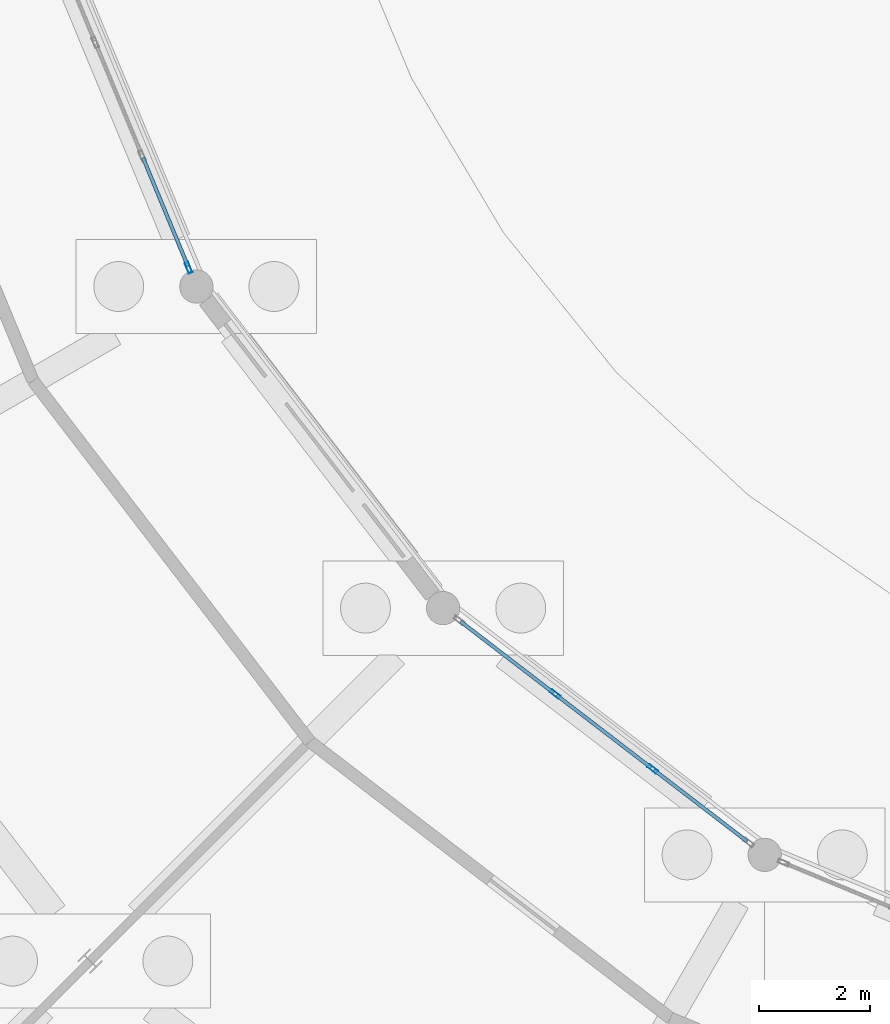
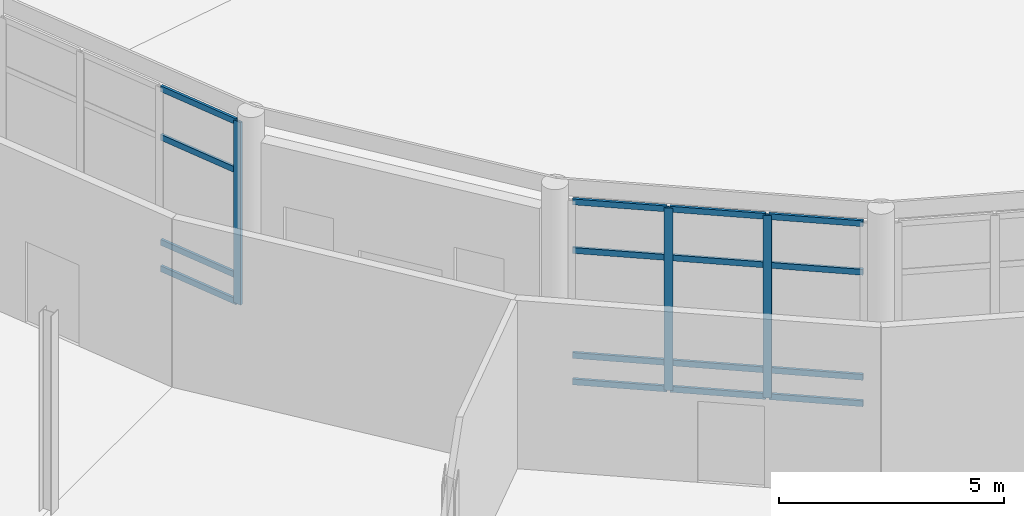
# One storey, part 38 of 137: 19 members, 2 elements without a shape of their own.
"""IFC4 building model written with IfcOpenShell, lengths in metres."""

from ifc_helpers import new_model, si_unit, direction, frame, origin, origin_2d, place, context, subcontext, project, spatial, hollow_rectangle, extrude, material, material_profile, profile_set, type_object, element, aggregate, save


model = new_model("IFC4")

# Units and contexts
model_context = context("Model", 3, precision=1e-05, world=origin(), true_north=direction((0.0, 1.0)))
body_context = subcontext(model_context, "Body", "Model", "MODEL_VIEW")
ifc_project = project(units=[si_unit("LENGTHUNIT", "METRE"), si_unit("AREAUNIT", "SQUARE_METRE"), si_unit("VOLUMEUNIT", "CUBIC_METRE"), si_unit("PLANEANGLEUNIT", "RADIAN"), si_unit("MASSUNIT", "GRAM", prefix="KILO")], contexts=[model_context])

# Site, building, storey
site_placement = place(None, origin())
site = spatial("IfcSite", under=ifc_project, at=site_placement, CompositionType="ELEMENT")
building_placement = place(site_placement, origin())
building = spatial("IfcBuilding", under=site, at=building_placement, Name="Vondelvale Polytechnic", CompositionType="ELEMENT")
storey_placement = place(building_placement, origin())
storey = spatial("IfcBuildingStorey", under=building, at=storey_placement, Name="L00", CompositionType="ELEMENT", Elevation=0.0)

# Curtain wall, member
ifc_material = material(Name="Anodised extruded aluminium 6063-T6", Category="aluminium")
curtain_wall_type = type_object("IfcCurtainWallType", Name="CW-RING-CLOISTER", PredefinedType="NOTDEFINED", material=ifc_material)
curtain_wall_1_placement = place(storey_placement, origin())
curtain_wall_1 = element("IfcCurtainWall", 1, at=curtain_wall_1_placement, inside=storey, type_object=curtain_wall_type, Name="L00 architectural curtain wall CW-03-275", PredefinedType="NOTDEFINED")
ifc_material_profile_1 = material_profile(ifc_material, hollow_rectangle(XDim=0.070068359375, YDim=0.199951171875, WallThickness=0.00390625, at=origin_2d()), Name="CW-MUL-200x70")
ifc_profile_set_1 = profile_set([ifc_material_profile_1], Name="Anodised extruded aluminium 6063-T6")
member_type_1 = type_object("IfcMemberType", Name="CW-MUL-70x200", PredefinedType="MULLION", material=ifc_profile_set_1)
member_1_placement = place(storey_placement, frame((77.611572265625, 58.337158203125, 0.0), z_axis=(0.0, 0.0, 1.0), x_axis=(0.923881562419, 0.382678531697, 0.0)))
member_1 = element("IfcMember", 2, at=member_1_placement, type_object=member_type_1, Name="CW-03-275 mullion 4", PredefinedType="MULLION", context=body_context, shape_type="SweptSolid", body=[
    extrude(hollow_rectangle(XDim=0.070068359375, YDim=0.199951171875, WallThickness=0.00390625, at=origin_2d()), origin(), (0.0, 0.0, 1.0), 4.949951171875),
])

# Curtain wall, members
curtain_wall_2_placement = place(storey_placement, origin())
curtain_wall_2 = element("IfcCurtainWall", 3, at=curtain_wall_2_placement, inside=storey, type_object=curtain_wall_type, Name="L00 architectural curtain wall CW-03-314", PredefinedType="NOTDEFINED")
member_2_placement = place(storey_placement, frame((84.220947265625, 50.651123046875, 0.0), z_axis=(0.0, 0.0, 1.0), x_axis=(0.608747717793, 0.793363861089, 0.0)))
member_2 = element("IfcMember", 4, at=member_2_placement, type_object=member_type_1, Name="CW-03-314 mullion 2", PredefinedType="MULLION", context=body_context, shape_type="SweptSolid", body=[
    extrude(hollow_rectangle(XDim=0.070068359375, YDim=0.199951171875, WallThickness=0.00390625, at=origin_2d()), origin(), (0.0, 0.0, 1.0), 4.949951171875),
])
member_3_placement = place(storey_placement, frame((85.97998046875, 49.30126953125, 0.0), z_axis=(0.0, 0.0, 1.0), x_axis=(0.608747717793, 0.793363861089, 0.0)))
member_3 = element("IfcMember", 5, at=member_3_placement, type_object=member_type_1, Name="CW-03-314 mullion 3", PredefinedType="MULLION", context=body_context, shape_type="SweptSolid", body=[
    extrude(hollow_rectangle(XDim=0.070068359375, YDim=0.199951171875, WallThickness=0.00390625, at=origin_2d()), origin(), (0.0, 0.0, 1.0), 4.949951171875),
])

# Member
ifc_material_profile_2 = material_profile(ifc_material, hollow_rectangle(XDim=0.06494140625, YDim=0.159912109375, WallThickness=0.00341796875, at=origin_2d()), Name="CW-TRN-160x65")
ifc_profile_set_2 = profile_set([ifc_material_profile_2], Name="Anodised extruded aluminium 6063-T6")
member_type_2 = type_object("IfcMemberType", Name="CW-TRN-70x160", PredefinedType="USERDEFINED", material=ifc_profile_set_2)
member_4_placement = place(storey_placement, frame((76.790283203125, 60.3203125, 0.032470703125), z_axis=(0.382627532503, -0.923902685011, 0.0), x_axis=(0.923902685011, 0.382627532503, 0.0)))
member_4 = element("IfcMember", 6, at=member_4_placement, type_object=member_type_2, Name="CW-03-275 transom 3.1", ObjectType="TRANSOM", PredefinedType="USERDEFINED", context=body_context, shape_type="SweptSolid", body=[
    extrude(hollow_rectangle(XDim=0.06494140625, YDim=0.159912109375, WallThickness=0.00341796875, at=origin_2d()), origin(), (0.0, 0.0, 1.0), 2.111328125),
])

member_5_placement = place(storey_placement, frame((76.790283203125, 60.3203125, 0.75), z_axis=(0.382627532503, -0.923902685011, 0.0), x_axis=(0.923902685011, 0.382627532503, 0.0)))
member_5 = element("IfcMember", 7, at=member_5_placement, type_object=member_type_2, Name="CW-03-275 transom 3.2", ObjectType="TRANSOM", PredefinedType="USERDEFINED", context=body_context, shape_type="SweptSolid", body=[
    extrude(hollow_rectangle(XDim=0.06494140625, YDim=0.159912109375, WallThickness=0.00341796875, at=origin_2d()), origin(), (0.0, 0.0, 1.0), 2.111328125),
])

member_6_placement = place(storey_placement, frame((76.790283203125, 60.3203125, 3.60009765625), z_axis=(0.382627532503, -0.923902685011, 0.0), x_axis=(0.923902685011, 0.382627532503, 0.0)))
member_6 = element("IfcMember", 8, at=member_6_placement, type_object=member_type_2, Name="CW-03-275 transom 3.3", ObjectType="TRANSOM", PredefinedType="USERDEFINED", context=body_context, shape_type="SweptSolid", body=[
    extrude(hollow_rectangle(XDim=0.06494140625, YDim=0.159912109375, WallThickness=0.00341796875, at=origin_2d()), origin(), (0.0, 0.0, 1.0), 2.111328125),
])

member_7_placement = place(storey_placement, frame((76.790283203125, 60.3203125, 4.91748046875), z_axis=(0.382627532503, -0.923902685011, 0.0), x_axis=(0.923902685011, 0.382627532503, 0.0)))
member_7 = element("IfcMember", 9, at=member_7_placement, type_object=member_type_2, Name="CW-03-275 transom 3.4", ObjectType="TRANSOM", PredefinedType="USERDEFINED", context=body_context, shape_type="SweptSolid", body=[
    extrude(hollow_rectangle(XDim=0.06494140625, YDim=0.159912109375, WallThickness=0.00341796875, at=origin_2d()), origin(), (0.0, 0.0, 1.0), 2.111328125),
])

aggregate(curtain_wall_1, [member_1, member_4, member_5, member_6, member_7])

member_8_placement = place(storey_placement, frame((82.517333984375, 51.958251953125, 0.032470703125), z_axis=(0.793349569285, -0.608766343448, 0.0), x_axis=(0.608766343448, 0.793349569285, 0.0)))
member_8 = element("IfcMember", 10, at=member_8_placement, type_object=member_type_2, Name="CW-03-314 transom 1.1", ObjectType="TRANSOM", PredefinedType="USERDEFINED", context=body_context, shape_type="SweptSolid", body=[
    extrude(hollow_rectangle(XDim=0.06494140625, YDim=0.159912109375, WallThickness=0.00341796875, at=origin_2d()), origin(), (0.0, 0.0, 1.0), 2.1123046875),
])

member_9_placement = place(storey_placement, frame((82.517333984375, 51.958251953125, 0.75), z_axis=(0.793349569285, -0.608766343448, 0.0), x_axis=(0.608766343448, 0.793349569285, 0.0)))
member_9 = element("IfcMember", 11, at=member_9_placement, type_object=member_type_2, Name="CW-03-314 transom 1.2", ObjectType="TRANSOM", PredefinedType="USERDEFINED", context=body_context, shape_type="SweptSolid", body=[
    extrude(hollow_rectangle(XDim=0.06494140625, YDim=0.159912109375, WallThickness=0.00341796875, at=origin_2d()), origin(), (0.0, 0.0, 1.0), 2.1123046875),
])

member_10_placement = place(storey_placement, frame((82.517333984375, 51.958251953125, 3.60009765625), z_axis=(0.793349569285, -0.608766343448, 0.0), x_axis=(0.608766343448, 0.793349569285, 0.0)))
member_10 = element("IfcMember", 12, at=member_10_placement, type_object=member_type_2, Name="CW-03-314 transom 1.3", ObjectType="TRANSOM", PredefinedType="USERDEFINED", context=body_context, shape_type="SweptSolid", body=[
    extrude(hollow_rectangle(XDim=0.06494140625, YDim=0.159912109375, WallThickness=0.00341796875, at=origin_2d()), origin(), (0.0, 0.0, 1.0), 2.1123046875),
])

member_11_placement = place(storey_placement, frame((82.517333984375, 51.958251953125, 4.91748046875), z_axis=(0.793349569285, -0.608766343448, 0.0), x_axis=(0.608766343448, 0.793349569285, 0.0)))
member_11 = element("IfcMember", 13, at=member_11_placement, type_object=member_type_2, Name="CW-03-314 transom 1.4", ObjectType="TRANSOM", PredefinedType="USERDEFINED", context=body_context, shape_type="SweptSolid", body=[
    extrude(hollow_rectangle(XDim=0.06494140625, YDim=0.159912109375, WallThickness=0.00341796875, at=origin_2d()), origin(), (0.0, 0.0, 1.0), 2.1123046875),
])

member_12_placement = place(storey_placement, frame((84.248779296875, 50.629638671875, 0.032470703125), z_axis=(0.793375728306, -0.608732251269, 0.0), x_axis=(0.608732251269, 0.793375728306, 0.0)))
member_12 = element("IfcMember", 14, at=member_12_placement, type_object=member_type_2, Name="CW-03-314 transom 2.1", ObjectType="TRANSOM", PredefinedType="USERDEFINED", context=body_context, shape_type="SweptSolid", body=[
    extrude(hollow_rectangle(XDim=0.06494140625, YDim=0.159912109375, WallThickness=0.00341796875, at=origin_2d()), origin(), (0.0, 0.0, 1.0), 2.147216796875),
])

member_13_placement = place(storey_placement, frame((84.248779296875, 50.629638671875, 0.75), z_axis=(0.793375728306, -0.608732251269, 0.0), x_axis=(0.608732251269, 0.793375728306, 0.0)))
member_13 = element("IfcMember", 15, at=member_13_placement, type_object=member_type_2, Name="CW-03-314 transom 2.2", ObjectType="TRANSOM", PredefinedType="USERDEFINED", context=body_context, shape_type="SweptSolid", body=[
    extrude(hollow_rectangle(XDim=0.06494140625, YDim=0.159912109375, WallThickness=0.00341796875, at=origin_2d()), origin(), (0.0, 0.0, 1.0), 2.147216796875),
])

member_14_placement = place(storey_placement, frame((84.248779296875, 50.629638671875, 3.60009765625), z_axis=(0.793375728306, -0.608732251269, 0.0), x_axis=(0.608732251269, 0.793375728306, 0.0)))
member_14 = element("IfcMember", 16, at=member_14_placement, type_object=member_type_2, Name="CW-03-314 transom 2.3", ObjectType="TRANSOM", PredefinedType="USERDEFINED", context=body_context, shape_type="SweptSolid", body=[
    extrude(hollow_rectangle(XDim=0.06494140625, YDim=0.159912109375, WallThickness=0.00341796875, at=origin_2d()), origin(), (0.0, 0.0, 1.0), 2.147216796875),
])

member_15_placement = place(storey_placement, frame((84.248779296875, 50.629638671875, 4.91748046875), z_axis=(0.793375728306, -0.608732251269, 0.0), x_axis=(0.608732251269, 0.793375728306, 0.0)))
member_15 = element("IfcMember", 17, at=member_15_placement, type_object=member_type_2, Name="CW-03-314 transom 2.4", ObjectType="TRANSOM", PredefinedType="USERDEFINED", context=body_context, shape_type="SweptSolid", body=[
    extrude(hollow_rectangle(XDim=0.06494140625, YDim=0.159912109375, WallThickness=0.00341796875, at=origin_2d()), origin(), (0.0, 0.0, 1.0), 2.147216796875),
])

member_16_placement = place(storey_placement, frame((86.0078125, 49.280029296875, 0.032470703125), z_axis=(0.793336583571, -0.608783266169, 0.0), x_axis=(0.608783266169, 0.793336583571, 0.0)))
member_16 = element("IfcMember", 18, at=member_16_placement, type_object=member_type_2, Name="CW-03-314 transom 3.1", ObjectType="TRANSOM", PredefinedType="USERDEFINED", context=body_context, shape_type="SweptSolid", body=[
    extrude(hollow_rectangle(XDim=0.06494140625, YDim=0.159912109375, WallThickness=0.00341796875, at=origin_2d()), origin(), (0.0, 0.0, 1.0), 2.112548828125),
])

member_17_placement = place(storey_placement, frame((86.0078125, 49.280029296875, 0.75), z_axis=(0.793336583571, -0.608783266169, 0.0), x_axis=(0.608783266169, 0.793336583571, 0.0)))
member_17 = element("IfcMember", 19, at=member_17_placement, type_object=member_type_2, Name="CW-03-314 transom 3.2", ObjectType="TRANSOM", PredefinedType="USERDEFINED", context=body_context, shape_type="SweptSolid", body=[
    extrude(hollow_rectangle(XDim=0.06494140625, YDim=0.159912109375, WallThickness=0.00341796875, at=origin_2d()), origin(), (0.0, 0.0, 1.0), 2.112548828125),
])

member_18_placement = place(storey_placement, frame((86.0078125, 49.280029296875, 3.60009765625), z_axis=(0.793336583571, -0.608783266169, 0.0), x_axis=(0.608783266169, 0.793336583571, 0.0)))
member_18 = element("IfcMember", 20, at=member_18_placement, type_object=member_type_2, Name="CW-03-314 transom 3.3", ObjectType="TRANSOM", PredefinedType="USERDEFINED", context=body_context, shape_type="SweptSolid", body=[
    extrude(hollow_rectangle(XDim=0.06494140625, YDim=0.159912109375, WallThickness=0.00341796875, at=origin_2d()), origin(), (0.0, 0.0, 1.0), 2.112548828125),
])

member_19_placement = place(storey_placement, frame((86.0078125, 49.280029296875, 4.91748046875), z_axis=(0.793336583571, -0.608783266169, 0.0), x_axis=(0.608783266169, 0.793336583571, 0.0)))
member_19 = element("IfcMember", 21, at=member_19_placement, type_object=member_type_2, Name="CW-03-314 transom 3.4", ObjectType="TRANSOM", PredefinedType="USERDEFINED", context=body_context, shape_type="SweptSolid", body=[
    extrude(hollow_rectangle(XDim=0.06494140625, YDim=0.159912109375, WallThickness=0.00341796875, at=origin_2d()), origin(), (0.0, 0.0, 1.0), 2.112548828125),
])

aggregate(curtain_wall_2, [member_2, member_3, member_8, member_9, member_10, member_11, member_12, member_13, member_14, member_15, member_16, member_17, member_18, member_19])

save(model, "model.ifc")
